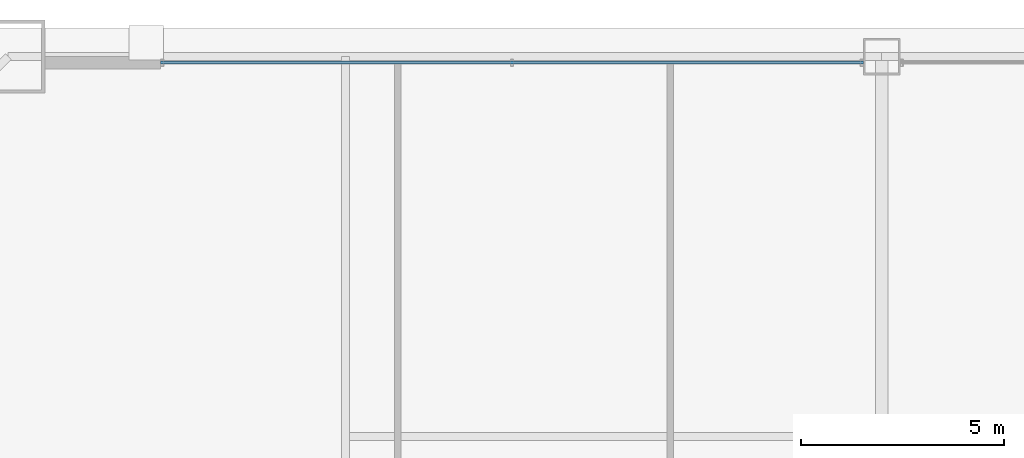
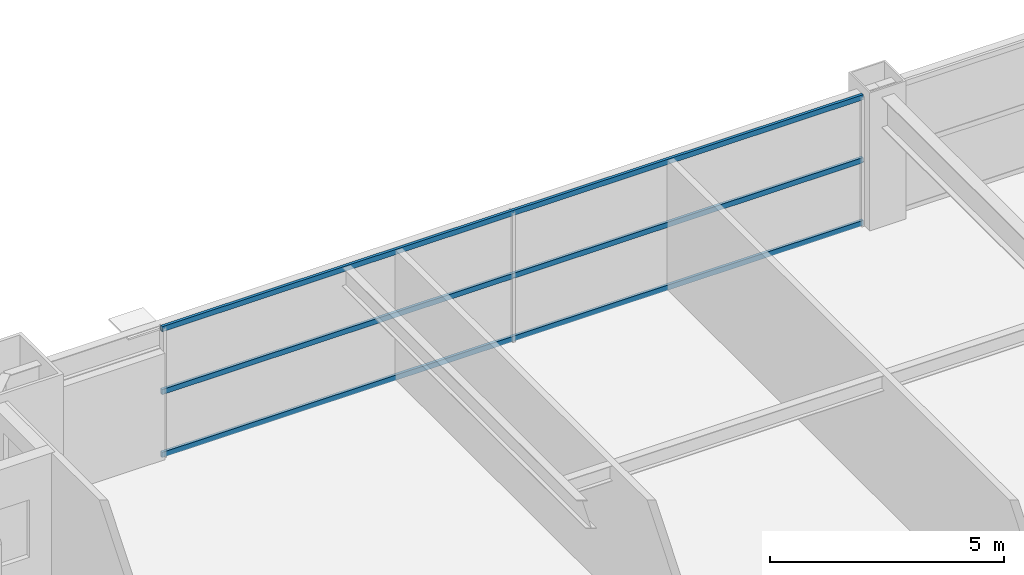
# One storey, part 29 of 43: 3 members, 1 element without a shape of its own.
"""IFC4 building model written with IfcOpenShell, lengths in metres."""

from ifc_helpers import new_model, si_unit, direction, frame, origin, origin_2d, place, context, subcontext, project, spatial, hollow_rectangle, extrude, source, transform, mapped, material, layer, layer_set, material_profile, profile_set, type_object, element, aggregate, save


model = new_model("IFC4")

# Units and contexts
model_context = context("Model", 3, precision=1e-05, world=origin(), true_north=direction((0.0, 1.0)))
body_context = subcontext(model_context, "Body", "Model", "MODEL_VIEW")
ifc_project = project(units=[si_unit("LENGTHUNIT", "METRE"), si_unit("AREAUNIT", "SQUARE_METRE"), si_unit("VOLUMEUNIT", "CUBIC_METRE"), si_unit("PLANEANGLEUNIT", "RADIAN"), si_unit("MASSUNIT", "GRAM", prefix="KILO"), si_unit("THERMODYNAMICTEMPERATUREUNIT", "KELVIN"), si_unit("POWERUNIT", "WATT")], contexts=[model_context])

# Site, building, storey
site_placement = place(None, origin())
site = spatial("IfcSite", under=ifc_project, at=site_placement, CompositionType="ELEMENT")
building_placement = place(site_placement, origin())
building = spatial("IfcBuilding", under=site, at=building_placement, Name="Yuzanri Waterfront Tower", CompositionType="ELEMENT")
storey_placement = place(building_placement, frame((0.0, 0.0, 64.0)))
storey = spatial("IfcBuildingStorey", under=building, at=storey_placement, Name="L16", CompositionType="ELEMENT", Elevation=64.0)

# Curtain wall, members
ifc_material_1 = material(Name="Anodized Architectural Bronze", Category="metal")
ifc_layer = layer(ifc_material_1, 0.159912109375)
ifc_layer_set = layer_set([ifc_layer], Name="Anodized Architectural Bronze")
curtain_wall_type = type_object("IfcCurtainWallType", Name="Anodized Bronze Hotel Lower-Tier Recessed Unitized Curtain Wall 8100", PredefinedType="NOTDEFINED", material=ifc_layer_set)
curtain_wall_placement = place(storey_placement, origin())
curtain_wall = element("IfcCurtainWall", 1, at=curtain_wall_placement, inside=storey, type_object=curtain_wall_type, Name="L16 Curtain Wall CW-L16-NL", PredefinedType="NOTDEFINED")
ifc_material_2 = material(Name="Anodized Architectural Bronze", Category="metal")
ifc_material_profile = material_profile(ifc_material_2, hollow_rectangle(XDim=0.070068359375, YDim=0.135009765625, WallThickness=0.00341796875, at=origin_2d()), Name="CWT 70x135")
ifc_profile_set = profile_set([ifc_material_profile], Name="Anodized Architectural Bronze")
member_type = type_object("IfcMemberType", Name="Anodized Bronze Standard Curtain-Wall Transom 70x135", PredefinedType="USERDEFINED", material=ifc_profile_set)
shared_shape = source(origin(), body_context, "Body", "SweptSolid", [
    extrude(hollow_rectangle(XDim=0.070068359375, YDim=0.135009765625, WallThickness=0.00341796875, at=origin_2d()), origin(), (0.0, 0.0, 1.0), 17.300048828125),
])
member_1_placement = place(storey_placement, frame((19.25, 50.75, 0.050048828125), z_axis=(1.0, 0.0, 0.0), x_axis=(0.0, 1.0, 0.0)))
member_1 = element("IfcMember", 2, at=member_1_placement, type_object=member_type, Name="CW-L16-NL Transom 1", ObjectType="TRANSOM", PredefinedType="USERDEFINED", context=body_context, shape_type="MappedRepresentation", body=[
    mapped(shared_shape, transform((0.0, 0.0, 0.0), scale=1.0)),
])
member_2_placement = place(storey_placement, frame((19.25, 50.75, 1.68994140625), z_axis=(1.0, 0.0, 0.0), x_axis=(0.0, 1.0, 0.0)))
member_2 = element("IfcMember", 3, at=member_2_placement, type_object=member_type, Name="CW-L16-NL Transom 2", ObjectType="TRANSOM", PredefinedType="USERDEFINED", context=body_context, shape_type="MappedRepresentation", body=[
    mapped(shared_shape, transform((0.0, 0.0, 0.0), scale=1.0)),
])
member_3_placement = place(storey_placement, frame((19.25, 50.75, 3.330078125), z_axis=(1.0, 0.0, 0.0), x_axis=(0.0, 1.0, 0.0)))
member_3 = element("IfcMember", 4, at=member_3_placement, type_object=member_type, Name="CW-L16-NL Transom 3", ObjectType="TRANSOM", PredefinedType="USERDEFINED", context=body_context, shape_type="MappedRepresentation", body=[
    mapped(shared_shape, transform((0.0, 0.0, 0.0), scale=1.0)),
])
aggregate(curtain_wall, [member_1, member_2, member_3])

save(model, "model.ifc")
